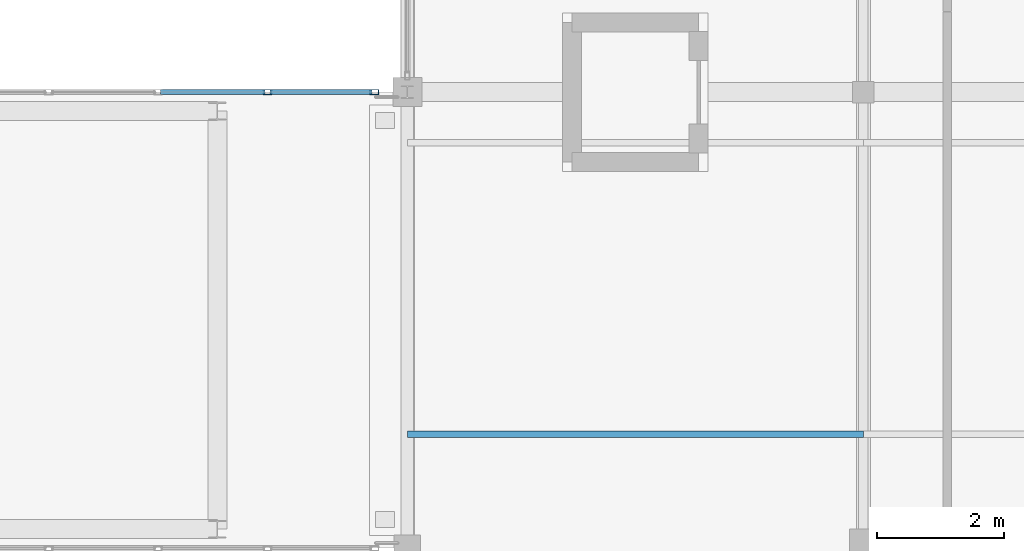
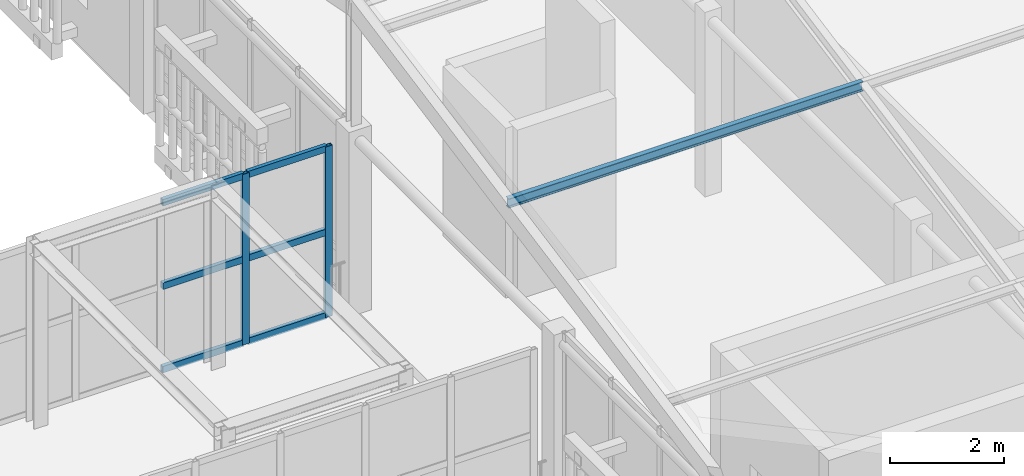
# One storey, part 42 of 112: 9 members, 1 element without a shape of its own.
"""IFC4 building model written with IfcOpenShell, lengths in metres."""

from ifc_helpers import new_model, si_unit, direction, frame, origin, origin_2d, place, context, subcontext, project, spatial, hollow_rectangle, i_section, extrude, material, layer, layer_set, material_profile, profile_set, type_object, element, aggregate, save


model = new_model("IFC4")

# Units and contexts
model_context = context("Model", 3, precision=1e-05, world=origin(), true_north=direction((0.0, 1.0)))
body_context = subcontext(model_context, "Body", "Model", "MODEL_VIEW")
ifc_project = project(units=[si_unit("LENGTHUNIT", "METRE"), si_unit("AREAUNIT", "SQUARE_METRE"), si_unit("VOLUMEUNIT", "CUBIC_METRE"), si_unit("PLANEANGLEUNIT", "RADIAN"), si_unit("MASSUNIT", "GRAM", prefix="KILO")], contexts=[model_context])

# Site, building, storey
site_placement = place(None, origin())
site = spatial("IfcSite", under=ifc_project, at=site_placement, CompositionType="ELEMENT")
building_placement = place(site_placement, origin())
building = spatial("IfcBuilding", under=site, at=building_placement, Name="Mazaris Harbour Polytechnic", CompositionType="ELEMENT")
storey_placement = place(building_placement, frame((0.0, 0.0, 13.800048828125)))
storey = spatial("IfcBuildingStorey", under=building, at=storey_placement, Name="L03", CompositionType="ELEMENT", Elevation=13.800048828125)

# Curtain wall, members
ifc_material_1 = material(Name="Anodised Bronze Aluminium and Low-E Glass", Category="aluminium")
ifc_layer = layer(ifc_material_1, 0.139892578125, Name="Anodised Bronze Aluminium and Low-E Glass")
ifc_layer_set = layer_set([ifc_layer], Name="Anodised Bronze Aluminium and Low-E Glass")
curtain_wall_type = type_object("IfcCurtainWallType", Name="Seismic Link Bridge Glazing", PredefinedType="NOTDEFINED", material=ifc_layer_set)
curtain_wall_placement = place(storey_placement, origin())
curtain_wall = element("IfcCurtainWall", 1, at=curtain_wall_placement, inside=storey, type_object=curtain_wall_type, Name="PB-E1 L03 Bridge Glazing", PredefinedType="NOTDEFINED")
ifc_material_2 = material(Name="Anodised Bronze Steel S355", Category="steel")
ifc_material_profile_1 = material_profile(ifc_material_2, hollow_rectangle(XDim=0.080078125, YDim=0.139892578125, WallThickness=0.00634765625, at=origin_2d()), Name="RHS 80x140x6.3")
ifc_profile_set_1 = profile_set([ifc_material_profile_1], Name="Anodised Bronze Steel S355")
member_type_1 = type_object("IfcMemberType", Name="Curtain Mullion RHS80x140", PredefinedType="MULLION", material=ifc_profile_set_1)
member_1_placement = place(storey_placement, frame((121.8798828125, 28.800048828125, 0.0), z_axis=(0.0, 0.0, 1.0), x_axis=(0.0, -1.0, 0.0)))
member_1 = element("IfcMember", 2, at=member_1_placement, type_object=member_type_1, Name="CW-05 mullion 1", PredefinedType="MULLION", context=body_context, shape_type="SweptSolid", body=[
    extrude(hollow_rectangle(XDim=0.080078125, YDim=0.139892578125, WallThickness=0.00634765625, at=origin_2d()), origin(), (0.0, 0.0, 1.0), 3.659912109375),
])
member_2_placement = place(storey_placement, frame((120.19189453125, 28.800048828125, 0.0), z_axis=(0.0, 0.0, 1.0), x_axis=(0.0, -1.0, 0.0)))
member_2 = element("IfcMember", 3, at=member_2_placement, type_object=member_type_1, Name="CW-05 mullion 2", PredefinedType="MULLION", context=body_context, shape_type="SweptSolid", body=[
    extrude(hollow_rectangle(XDim=0.080078125, YDim=0.139892578125, WallThickness=0.00634765625, at=origin_2d()), origin(), (0.0, 0.0, 1.0), 3.659912109375),
])
ifc_material_3 = material(Name="Anodised Bronze Steel S355", Category="steel")
ifc_material_profile_2 = material_profile(ifc_material_3, hollow_rectangle(XDim=0.080078125, YDim=0.139892578125, WallThickness=0.00634765625, at=origin_2d()), Name="RHS 80x140x6.3")
ifc_profile_set_2 = profile_set([ifc_material_profile_2], Name="Anodised Bronze Steel S355")
member_type_2 = type_object("IfcMemberType", Name="Curtain Transom RHS80x140", PredefinedType="USERDEFINED", material=ifc_profile_set_2)
member_3_placement = place(storey_placement, frame((121.840087890625, 28.800048828125, 0.0400390625), z_axis=(-1.0, 0.0, 0.0), x_axis=(0.0, -1.0, 0.0)))
member_3 = element("IfcMember", 4, at=member_3_placement, type_object=member_type_2, Name="CW-05 transom 1.1", ObjectType="TRANSOM", PredefinedType="USERDEFINED", context=body_context, shape_type="SweptSolid", body=[
    extrude(hollow_rectangle(XDim=0.080078125, YDim=0.139892578125, WallThickness=0.00634765625, at=origin_2d()), origin(), (0.0, 0.0, 1.0), 1.608154296875),
])
member_4_placement = place(storey_placement, frame((121.840087890625, 28.800048828125, 1.829833984375), z_axis=(-1.0, 0.0, 0.0), x_axis=(0.0, -1.0, 0.0)))
member_4 = element("IfcMember", 5, at=member_4_placement, type_object=member_type_2, Name="CW-05 transom 1.2", ObjectType="TRANSOM", PredefinedType="USERDEFINED", context=body_context, shape_type="SweptSolid", body=[
    extrude(hollow_rectangle(XDim=0.080078125, YDim=0.139892578125, WallThickness=0.00634765625, at=origin_2d()), origin(), (0.0, 0.0, 1.0), 1.608154296875),
])
member_5_placement = place(storey_placement, frame((121.840087890625, 28.800048828125, 3.619873046875), z_axis=(-1.0, 0.0, 0.0), x_axis=(0.0, -1.0, 0.0)))
member_5 = element("IfcMember", 6, at=member_5_placement, type_object=member_type_2, Name="CW-05 transom 1.3", ObjectType="TRANSOM", PredefinedType="USERDEFINED", context=body_context, shape_type="SweptSolid", body=[
    extrude(hollow_rectangle(XDim=0.080078125, YDim=0.139892578125, WallThickness=0.00634765625, at=origin_2d()), origin(), (0.0, 0.0, 1.0), 1.608154296875),
])
member_6_placement = place(storey_placement, frame((120.152099609375, 28.800048828125, 0.0400390625), z_axis=(-1.0, 0.0, 0.0), x_axis=(0.0, -1.0, 0.0)))
member_6 = element("IfcMember", 7, at=member_6_placement, type_object=member_type_2, Name="CW-05 transom 2.1", ObjectType="TRANSOM", PredefinedType="USERDEFINED", context=body_context, shape_type="SweptSolid", body=[
    extrude(hollow_rectangle(XDim=0.080078125, YDim=0.139892578125, WallThickness=0.00634765625, at=origin_2d()), origin(), (0.0, 0.0, 1.0), 1.648193359375),
])
member_7_placement = place(storey_placement, frame((120.152099609375, 28.800048828125, 1.829833984375), z_axis=(-1.0, 0.0, 0.0), x_axis=(0.0, -1.0, 0.0)))
member_7 = element("IfcMember", 8, at=member_7_placement, type_object=member_type_2, Name="CW-05 transom 2.2", ObjectType="TRANSOM", PredefinedType="USERDEFINED", context=body_context, shape_type="SweptSolid", body=[
    extrude(hollow_rectangle(XDim=0.080078125, YDim=0.139892578125, WallThickness=0.00634765625, at=origin_2d()), origin(), (0.0, 0.0, 1.0), 1.648193359375),
])
member_8_placement = place(storey_placement, frame((120.152099609375, 28.800048828125, 3.619873046875), z_axis=(-1.0, 0.0, 0.0), x_axis=(0.0, -1.0, 0.0)))
member_8 = element("IfcMember", 9, at=member_8_placement, type_object=member_type_2, Name="CW-05 transom 2.3", ObjectType="TRANSOM", PredefinedType="USERDEFINED", context=body_context, shape_type="SweptSolid", body=[
    extrude(hollow_rectangle(XDim=0.080078125, YDim=0.139892578125, WallThickness=0.00634765625, at=origin_2d()), origin(), (0.0, 0.0, 1.0), 1.648193359375),
])
aggregate(curtain_wall, [member_1, member_2, member_3, member_4, member_5, member_6, member_7, member_8])

# Member
ifc_material_4 = material(Name="Steel S355", Category="steel")
ifc_material_profile_3 = material_profile(ifc_material_4, i_section(OverallWidth=0.10009765625, OverallDepth=0.199951171875, WebThickness=0.005615234375, FlangeThickness=0.008544921875, FilletRadius=0.011962890625, at=origin_2d()), Name="IPE 200")
ifc_profile_set_3 = profile_set([ifc_material_profile_3], Name="Steel S355")
member_type_3 = type_object("IfcMemberType", Name="Steel Purlin IPE200", PredefinedType="PURLIN", material=ifc_profile_set_3)
member_9_placement = place(storey_placement, frame((122.39990234375, 23.39990234375, 5.52001953125), z_axis=(1.0, 0.0, 0.0), x_axis=(0.0, 1.0, 0.0)))
element("IfcMember", 10, at=member_9_placement, inside=storey, type_object=member_type_3, Name="V2 Roof Purlin 149", PredefinedType="PURLIN", context=body_context, shape_type="SweptSolid", body=[
    extrude(i_section(OverallWidth=0.10009765625, OverallDepth=0.199951171875, WebThickness=0.005615234375, FlangeThickness=0.008544921875, FilletRadius=0.011962890625, at=origin_2d()), origin(), (0.0, 0.0, 1.0), 7.2001953125),
])

save(model, "model.ifc")
